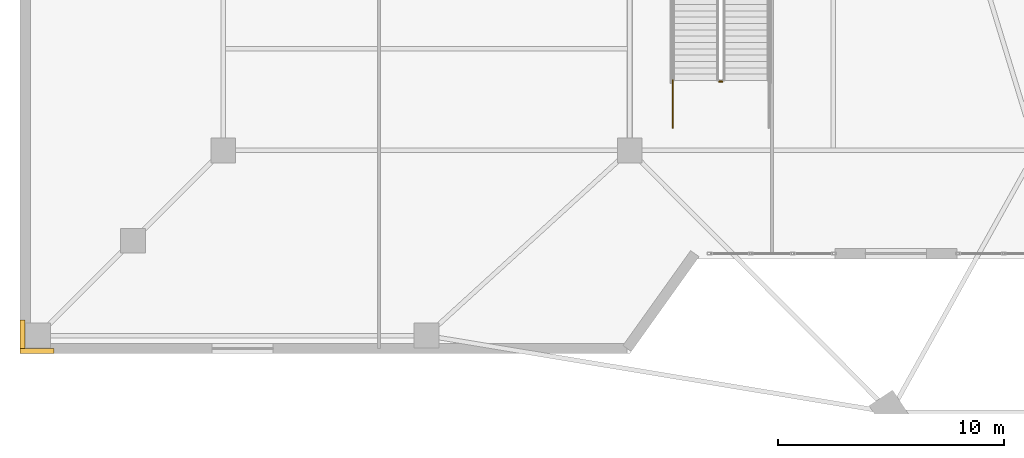
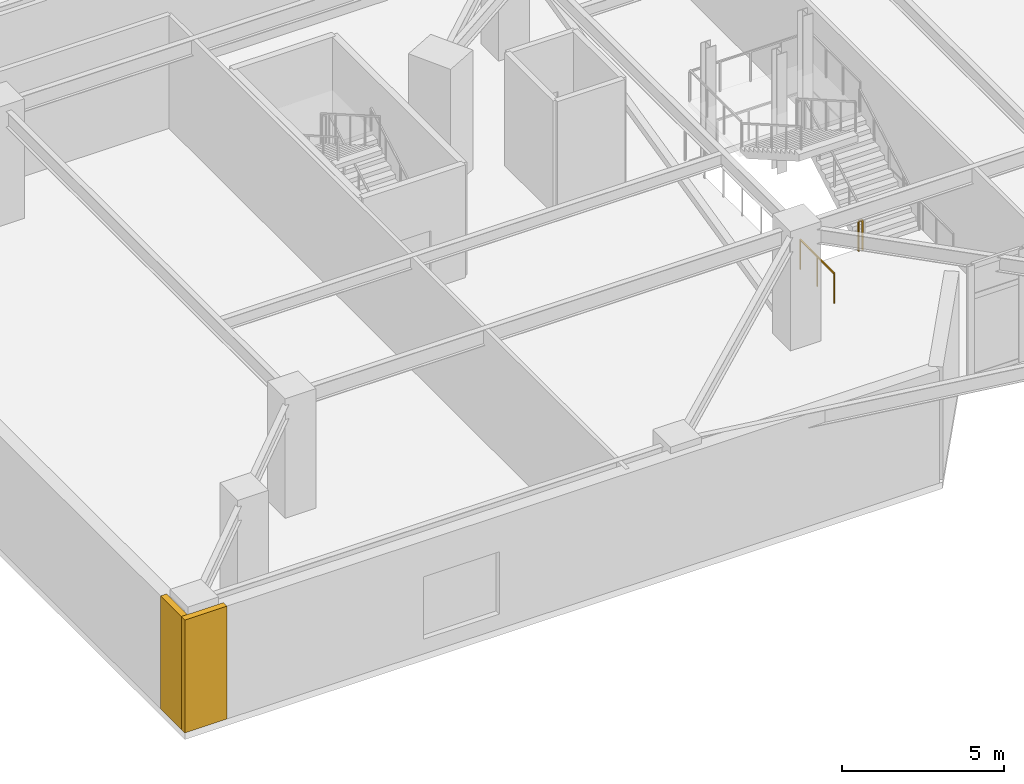
# One storey, part 24 of 29: 2 coverings, 2 railings.
"""IFC4 building model written with IfcOpenShell, lengths in metres."""

from ifc_helpers import new_model, si_unit, direction, frame, origin, origin_2d, place, context, subcontext, project, spatial, rectangle, extrude, source, transform, mapped, material, layer, layer_set, type_object, element, save


model = new_model("IFC4")

# Units and contexts
model_context = context("Model", 3, precision=1e-05, world=origin(), true_north=direction((0.0, 1.0)))
body_context = subcontext(model_context, "Body", "Model", "MODEL_VIEW")
ifc_project = project(units=[si_unit("LENGTHUNIT", "METRE"), si_unit("AREAUNIT", "SQUARE_METRE"), si_unit("VOLUMEUNIT", "CUBIC_METRE"), si_unit("PLANEANGLEUNIT", "RADIAN"), si_unit("MASSUNIT", "GRAM", prefix="KILO")], contexts=[model_context])

# Site, building, storey
site_placement = place(None, origin())
site = spatial("IfcSite", under=ifc_project, at=site_placement, CompositionType="ELEMENT")
building_placement = place(site_placement, origin())
building = spatial("IfcBuilding", under=site, at=building_placement, Name="Liaohun Quay Tower", CompositionType="ELEMENT")
storey_placement = place(building_placement, frame((0.0, 0.0, 5.39990234375)))
storey = spatial("IfcBuildingStorey", under=building, at=storey_placement, Name="L02", CompositionType="ELEMENT", Elevation=5.39990234375)

# Railings
ifc_material_1 = material(Name="Laminated safety glass and stainless steel", Category="steel")
railing_type = type_object("IfcRailingType", Name="RLG-GUARD-ATR", PredefinedType="BALUSTRADE", material=ifc_material_1)
railing_1_placement = place(storey_placement, frame((46.10009765625, 27.050048828125, 0.0)))
element("IfcRailing", 1, at=railing_1_placement, inside=storey, type_object=railing_type, Name="L02 ST-A stair guard 7", PredefinedType="BALUSTRADE", context=body_context, shape_type="SweptSolid", body=[
    extrude(rectangle(XDim=0.048095703125, YDim=0.048095703125, at=origin_2d()), frame((0.0, 0.0, 1.1259765625), z_axis=(-1.0, 0.0, 0.0), x_axis=(0.0, -1.0, 0.0)), (0.0, 0.0, 1.0), 0.14013671875),
    extrude(rectangle(XDim=0.0419921875, YDim=0.0419921875, at=origin_2d()), origin(), (0.0, 0.0, 1.0), 1.101806640625),
    extrude(rectangle(XDim=0.0419921875, YDim=0.0419921875, at=origin_2d()), frame((-0.14013671875, 0.0, 0.0)), (0.0, 0.0, 1.0), 1.101806640625),
])
railing_2_placement = place(storey_placement, frame((43.909912109375, 25.0, 0.0)))
element("IfcRailing", 2, at=railing_2_placement, inside=storey, type_object=railing_type, Name="L02 ST-A stair guard 9", PredefinedType="BALUSTRADE", context=body_context, shape_type="SweptSolid", body=[
    extrude(rectangle(XDim=0.048095703125, YDim=0.048095703125, at=origin_2d()), frame((0.0, 0.0, 1.1259765625), z_axis=(0.0, 1.0, 0.0), x_axis=(-1.0, 0.0, 0.0)), (0.0, 0.0, 1.0), 2.10009765625),
    extrude(rectangle(XDim=0.0419921875, YDim=0.0419921875, at=origin_2d()), origin(), (0.0, 0.0, 1.0), 1.101806640625),
    extrude(rectangle(XDim=0.0419921875, YDim=0.0419921875, at=origin_2d()), frame((0.0, 1.050048828125, 0.0)), (0.0, 0.0, 1.0), 1.101806640625),
    extrude(rectangle(XDim=0.0419921875, YDim=0.0419921875, at=origin_2d()), frame((0.0, 2.10009765625, 0.0)), (0.0, 0.0, 1.0), 1.101806640625),
])

# Coverings
ifc_material_2 = material(Name="Bush-hammered Liaodong grey granite stone cladding", Category="masonry")
ifc_layer = layer(ifc_material_2, 0.0400390625, Name="Bush-hammered Liaodong grey granite stone cladding", Category="masonry")
ifc_layer_set = layer_set([ifc_layer], Name="Bush-hammered Liaodong grey granite stone cladding")
covering_type = type_object("IfcCoveringType", Name="COV-EXT-CLD", PredefinedType="CLADDING", material=ifc_layer_set)
shared_shape_1 = source(origin(), body_context, "Body", "SweptSolid", [
    extrude(rectangle(XDim=1.5, YDim=0.219970703125, at=origin_2d()), origin(), (0.0, 0.0, 1.0), 4.25),
])
covering_1_placement = place(storey_placement, frame((15.75, 15.110107421875, 0.0), z_axis=(0.0, 0.0, 1.0), x_axis=(1.0, 0.0, 0.0)))
element("IfcCovering", 3, at=covering_1_placement, inside=storey, type_object=covering_type, Name="L02 Corner Granite Pier Cladding SW-X", PredefinedType="CLADDING", context=body_context, shape_type="MappedRepresentation", body=[
    mapped(shared_shape_1, transform((0.0, 0.0, 0.0), x_axis=(1.0, 0.0, 0.0), y_axis=(0.0, 1.0, 0.0), z_axis=(0.0, 0.0, 1.0), scale=1.0)),
])
shared_shape_2 = source(origin(), body_context, "Body", "SweptSolid", [
    extrude(rectangle(XDim=0.219970703125, YDim=1.280029296875, at=origin_2d()), origin(), (0.0, 0.0, 1.0), 4.25),
])
covering_2_placement = place(storey_placement, frame((15.110107421875, 15.860107421875, 0.0), z_axis=(0.0, 0.0, 1.0), x_axis=(1.0, 0.0, 0.0)))
element("IfcCovering", 4, at=covering_2_placement, inside=storey, type_object=covering_type, Name="L02 Corner Granite Pier Cladding SW-Y", PredefinedType="CLADDING", context=body_context, shape_type="MappedRepresentation", body=[
    mapped(shared_shape_2, transform((0.0, 0.0, 0.0), x_axis=(1.0, 0.0, 0.0), y_axis=(0.0, 1.0, 0.0), z_axis=(0.0, 0.0, 1.0), scale=1.0)),
])

save(model, "model.ifc")
